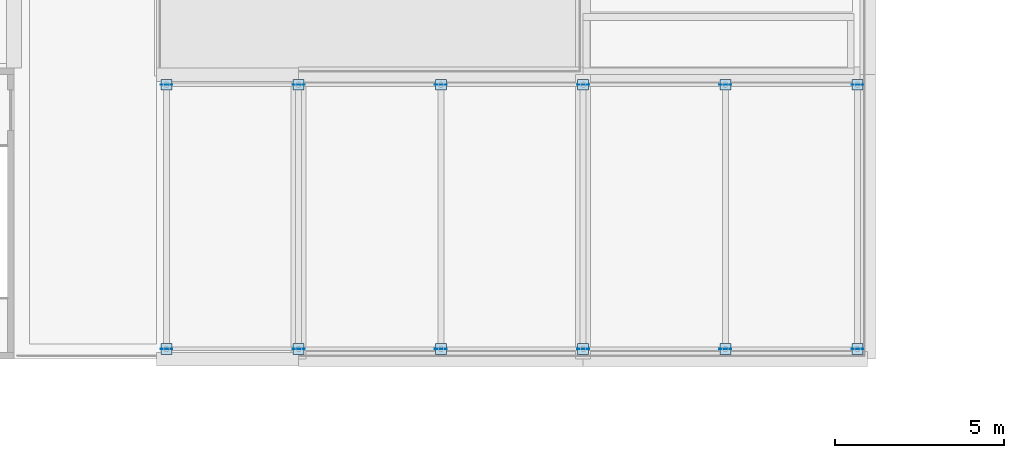
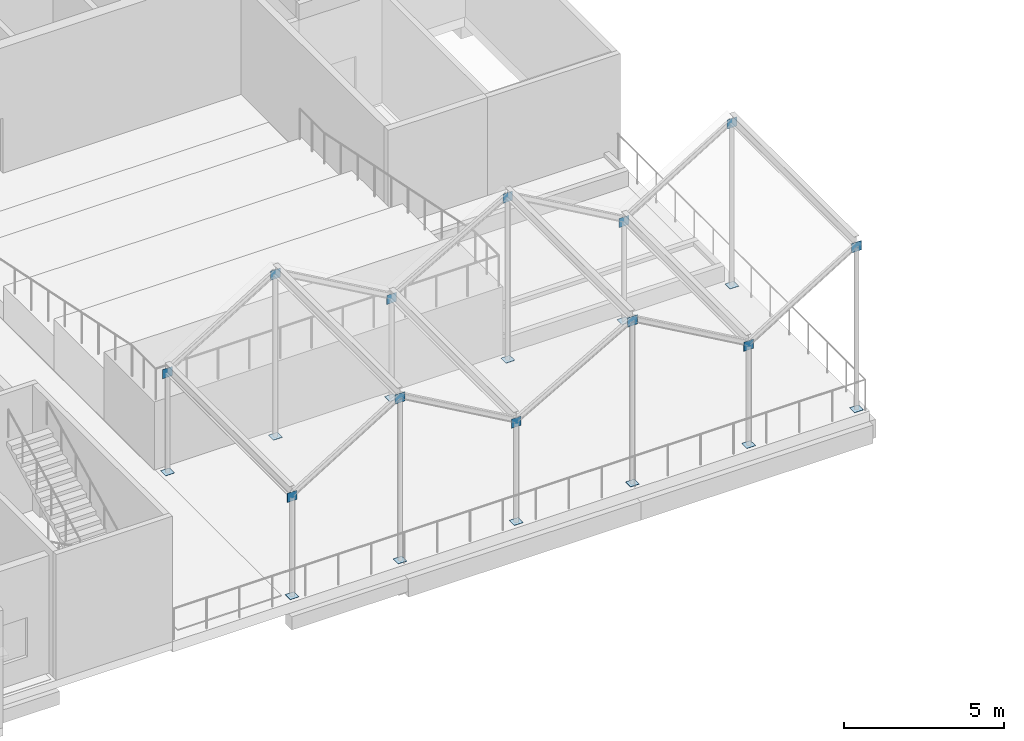
# One storey, part 38 of 67: 24 plates.
"""IFC4 building model written with IfcOpenShell, lengths in metres."""

from ifc_helpers import new_model, si_unit, direction, frame, origin, origin_2d, place, context, subcontext, project, spatial, rectangle, extrude, material, layer, layer_set, type_object, element, save


model = new_model("IFC4")

# Units and contexts
model_context = context("Model", 3, precision=1e-05, world=origin(), true_north=direction((0.0, 1.0)))
body_context = subcontext(model_context, "Body", "Model", "MODEL_VIEW")
ifc_project = project(units=[si_unit("LENGTHUNIT", "METRE"), si_unit("AREAUNIT", "SQUARE_METRE"), si_unit("VOLUMEUNIT", "CUBIC_METRE"), si_unit("PLANEANGLEUNIT", "RADIAN"), si_unit("MASSUNIT", "GRAM", prefix="KILO")], contexts=[model_context])

# Site, building, storey
site_placement = place(None, origin())
site = spatial("IfcSite", under=ifc_project, at=site_placement, CompositionType="ELEMENT")
building_placement = place(site_placement, origin())
building = spatial("IfcBuilding", under=site, at=building_placement, Name="Kiln Court Media Centre", CompositionType="ELEMENT")
storey_placement = place(building_placement, frame((0.0, 0.0, 19.800048828125)))
storey = spatial("IfcBuildingStorey", under=building, at=storey_placement, Name="L04", CompositionType="ELEMENT", Elevation=19.800048828125)

# Plates
ifc_material_1 = material(Name="Steel ASTM A572 Gr 50", Category="steel")
ifc_layer_1 = layer(ifc_material_1, 0.010009765625)
ifc_layer_set_1 = layer_set([ifc_layer_1], Name="Steel ASTM A572 Gr 50 318x318x10 connection plate")
plate_type_1 = type_object("IfcPlateType", Name="Steel ASTM A572 Gr 50 318x318x10 connection plate", PredefinedType="USERDEFINED", material=ifc_layer_set_1)
for number, where, z_axis, x_axis, name in (
    (1, (38.10009765625, 0.300048828125, -0.001953125), (0.0, 0.0, 1.0), (1.0, 0.0, 0.0), "pavilion roof column 1 base connection plate"),
    (2, (38.10009765625, 8.10009765625, -0.001953125), (0.0, 0.0, 1.0), (1.0, 0.0, 0.0), "pavilion roof column 1 base connection plate"),
    (3, (42.0, 0.300048828125, -0.001953125), (0.0, 0.0, 1.0), (1.0, 0.0, 0.0), "pavilion roof column 2 base connection plate"),
    (4, (42.0, 8.10009765625, -0.001953125), (0.0, 0.0, 1.0), (1.0, 0.0, 0.0), "pavilion roof column 2 base connection plate"),
    (5, (46.199951171875, 0.300048828125, -0.001953125), (0.0, 0.0, 1.0), (1.0, 0.0, 0.0), "pavilion roof column 3 base connection plate"),
    (6, (46.199951171875, 8.10009765625, -0.001953125), (0.0, 0.0, 1.0), (1.0, 0.0, 0.0), "pavilion roof column 3 base connection plate"),
    (7, (50.39990234375, 0.300048828125, -0.001953125), (0.0, 0.0, 1.0), (1.0, 0.0, 0.0), "pavilion roof column 4 base connection plate"),
    (8, (50.39990234375, 8.10009765625, -0.001953125), (0.0, 0.0, 1.0), (1.0, 0.0, 0.0), "pavilion roof column 4 base connection plate"),
    (9, (54.60009765625, 0.300048828125, -0.001953125), (0.0, 0.0, 1.0), (1.0, 0.0, 0.0), "pavilion roof column 5 base connection plate"),
    (10, (54.60009765625, 8.10009765625, -0.001953125), (0.0, 0.0, 1.0), (1.0, 0.0, 0.0), "pavilion roof column 5 base connection plate"),
    (11, (58.5, 0.300048828125, -0.001953125), (0.0, 0.0, 1.0), (1.0, 0.0, 0.0), "pavilion roof column 6 base connection plate"),
    (12, (58.5, 8.10009765625, -0.001953125), (0.0, 0.0, 1.0), (1.0, 0.0, 0.0), "pavilion roof column 6 base connection plate"),
):
    element("IfcPlate", number, at=place(storey_placement, frame(where, z_axis=z_axis, x_axis=x_axis)), inside=storey, type_object=plate_type_1, Name=name, ObjectType="CONNECTION PLATE", PredefinedType="USERDEFINED", context=body_context, shape_type="SweptSolid", body=[
        extrude(rectangle(XDim=0.318115234375, YDim=0.318115234375, at=origin_2d()), origin(), (0.0, 0.0, 1.0), 0.010009765625),
    ])
ifc_material_2 = material(Name="Steel ASTM A572 Gr 50", Category="steel")
ifc_layer_2 = layer(ifc_material_2, 0.010009765625)
ifc_layer_set_2 = layer_set([ifc_layer_2], Name="Steel ASTM A572 Gr 50 350x350x10 connection plate PV")
plate_type_2 = type_object("IfcPlateType", Name="Steel ASTM A572 Gr 50 350x350x10 connection plate PV", PredefinedType="USERDEFINED", material=ifc_layer_set_2)
for number, where, z_axis, x_axis, name in (
    (13, (38.10009765625, 0.300048828125, 3.625), (0.0, 0.0, 1.0), (1.0, 0.0, 0.0), "PV node connection plate"),
    (14, (38.10009765625, 8.10009765625, 3.625), (0.0, 0.0, 1.0), (1.0, 0.0, 0.0), "PV node connection plate"),
    (15, (42.0, 0.300048828125, 6.02490234375), (0.0, 0.0, 1.0), (1.0, 0.0, 0.0), "PV node connection plate"),
    (16, (42.0, 8.10009765625, 6.02490234375), (0.0, 0.0, 1.0), (1.0, 0.0, 0.0), "PV node connection plate"),
    (17, (46.199951171875, 0.300048828125, 3.625), (0.0, 0.0, 1.0), (1.0, 0.0, 0.0), "PV node connection plate"),
    (18, (46.199951171875, 8.10009765625, 3.625), (0.0, 0.0, 1.0), (1.0, 0.0, 0.0), "PV node connection plate"),
    (19, (50.39990234375, 0.300048828125, 6.02490234375), (0.0, 0.0, 1.0), (1.0, 0.0, 0.0), "PV node connection plate"),
    (20, (50.39990234375, 8.10009765625, 6.02490234375), (0.0, 0.0, 1.0), (1.0, 0.0, 0.0), "PV node connection plate"),
    (21, (54.60009765625, 0.300048828125, 3.625), (0.0, 0.0, 1.0), (1.0, 0.0, 0.0), "PV node connection plate"),
    (22, (54.60009765625, 8.10009765625, 3.625), (0.0, 0.0, 1.0), (1.0, 0.0, 0.0), "PV node connection plate"),
    (23, (58.5, 0.300048828125, 6.02490234375), (0.0, 0.0, 1.0), (1.0, 0.0, 0.0), "PV node connection plate"),
    (24, (58.5, 8.10009765625, 6.02490234375), (0.0, 0.0, 1.0), (1.0, 0.0, 0.0), "PV node connection plate"),
):
    element("IfcPlate", number, at=place(storey_placement, frame(where, z_axis=z_axis, x_axis=x_axis)), inside=storey, type_object=plate_type_2, Name=name, ObjectType="CONNECTION PLATE", PredefinedType="USERDEFINED", context=body_context, shape_type="SweptSolid", body=[
        extrude(rectangle(XDim=0.35009765625, YDim=0.010009765625, at=origin_2d()), origin(), (0.0, 0.0, 1.0), 0.35009765625),
    ])

save(model, "model.ifc")
